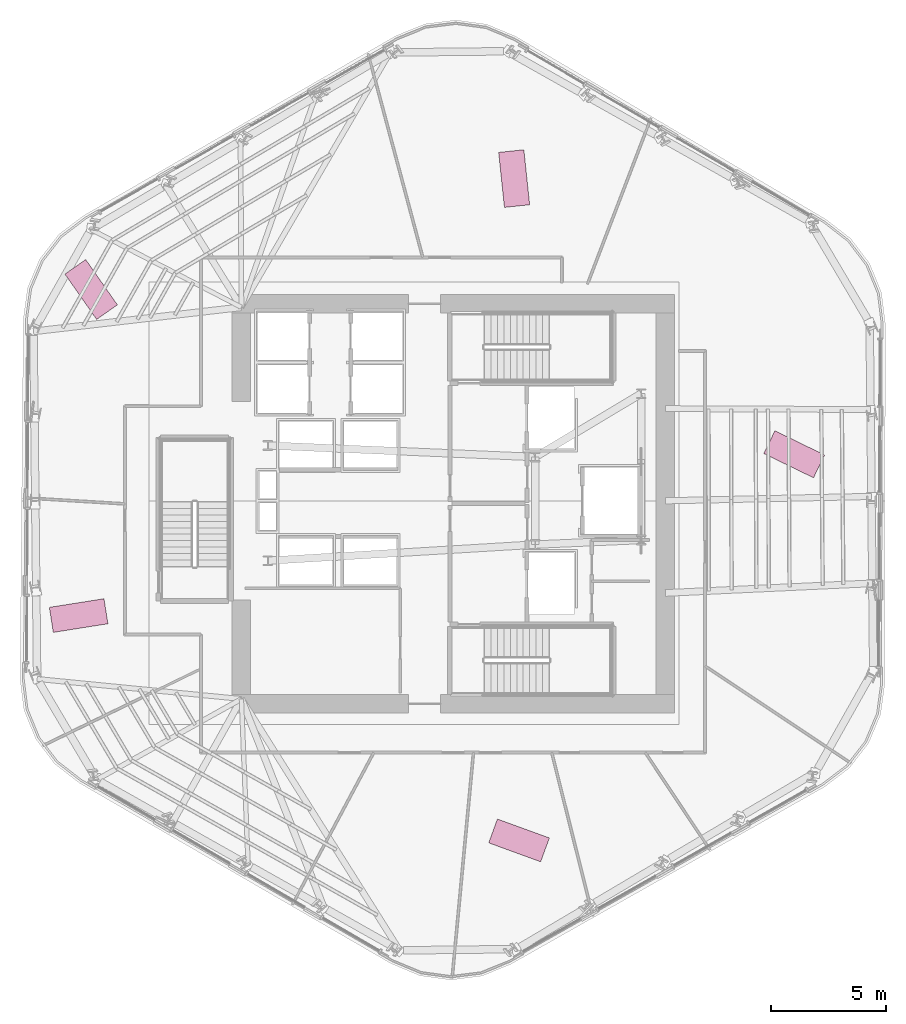
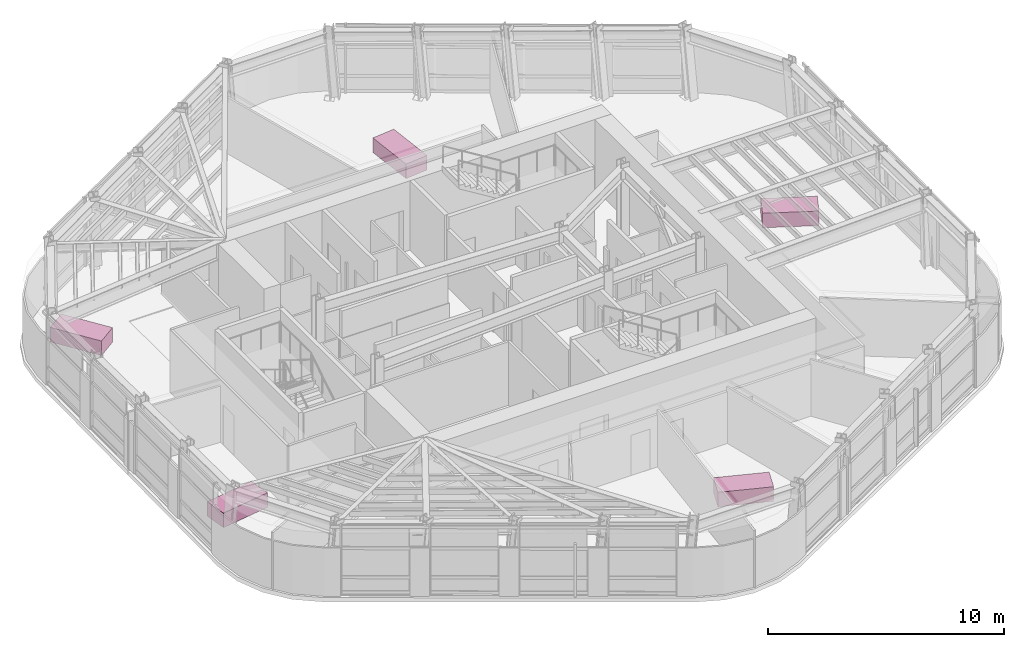
# One storey, part 16 of 16: 5 furniture elements.
"""IFC4 building model written with IfcOpenShell, lengths in metres."""

from ifc_helpers import new_model, si_unit, direction, frame, origin, origin_2d, place, context, subcontext, project, spatial, rectangle, extrude, material, type_object, element, save


model = new_model("IFC4")

# Units and contexts
model_context = context("Model", 3, precision=1e-05, world=origin(), true_north=direction((0.0, 1.0)))
body_context = subcontext(model_context, "Body", "Model", "MODEL_VIEW")
ifc_project = project(units=[si_unit("LENGTHUNIT", "METRE"), si_unit("AREAUNIT", "SQUARE_METRE"), si_unit("VOLUMEUNIT", "CUBIC_METRE"), si_unit("PLANEANGLEUNIT", "RADIAN"), si_unit("MASSUNIT", "GRAM", prefix="KILO")], contexts=[model_context])

# Site, building, storey
site_placement = place(None, origin())
site = spatial("IfcSite", under=ifc_project, at=site_placement, CompositionType="ELEMENT")
building_placement = place(site_placement, origin())
building = spatial("IfcBuilding", under=site, at=building_placement, Name="Valkerne Bourse Tower", CompositionType="ELEMENT")
storey_placement = place(building_placement, frame((0.0, 0.0, 151.39990234375)))
storey = spatial("IfcBuildingStorey", under=building, at=storey_placement, Name="L38", CompositionType="ELEMENT", Elevation=151.39990234375)

# Furniture
ifc_material = material(Name="Architectural White Oak Timber", Category="wood")
furniture_type = type_object("IfcFurnitureType", Name="FURN-DESK-2400", AssemblyPlace="NOTDEFINED", PredefinedType="DESK", material=ifc_material)
for number, where, z_axis, x_axis, name in (
    (1, (49.64892578125, 12.261962890625, 0.045166015625), (0.0, 0.0, 1.0), (-0.939692620786, 0.342020143326, 0.0), "L38 Suite Worktable 06"),
    (2, (30.537109375, 22.02001953125, 0.045166015625), (0.0, 0.0, 1.0), (0.987688340595, 0.15643446504, 0.0), "L38 Suite Worktable 07"),
    (3, (49.43701171875, 40.98388671875, 0.045166015625), (0.0, 0.0, 1.0), (-0.104528463268, 0.994521895368, 0.0), "L38 Suite Worktable 10"),
    (4, (31.080078125, 36.1708984375, 0.045166015625), (0.0, 0.0, 1.0), (-0.573576436351, 0.819152044289, 0.0), "L38 Suite Worktable 11"),
    (5, (61.591064453125, 29.01904296875, 0.045166015625), (0.0, 0.0, 1.0), (-0.898794046299, 0.438371146789, 0.0), "L38 Suite Worktable 12"),
):
    element("IfcFurniture", number, at=place(storey_placement, frame(where, z_axis=z_axis, x_axis=x_axis)), inside=storey, type_object=furniture_type, Name=name, PredefinedType="DESK", context=body_context, shape_type="SweptSolid", body=[
        extrude(rectangle(XDim=2.39990234375, YDim=1.10009765625, at=origin_2d()), origin(), (0.0, 0.0, 1.0), 0.75),
    ])

save(model, "model.ifc")
